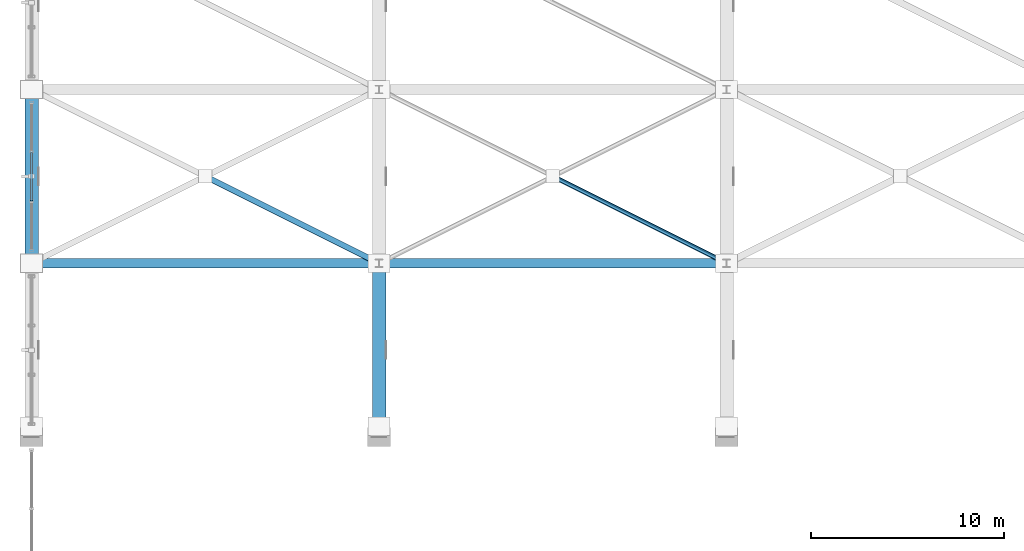
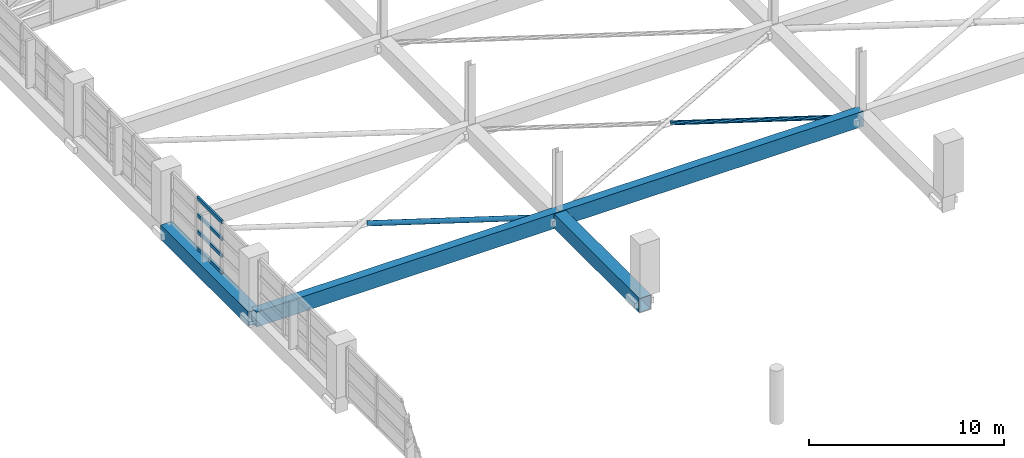
# One storey, part 39 of 116: 6 members, 4 beams, 1 element without a shape of its own.
"""IFC4 building model written with IfcOpenShell, lengths in metres."""

from ifc_helpers import new_model, si_unit, direction, frame, origin, origin_2d, place, context, subcontext, project, spatial, hollow_rectangle, hollow_circle, extrude, material, material_profile, profile_set, type_object, element, aggregate, save


model = new_model("IFC4")

# Units and contexts
model_context = context("Model", 3, precision=1e-05, world=origin(), true_north=direction((0.0, 1.0)))
body_context = subcontext(model_context, "Body", "Model", "MODEL_VIEW")
ifc_project = project(units=[si_unit("LENGTHUNIT", "METRE"), si_unit("AREAUNIT", "SQUARE_METRE"), si_unit("VOLUMEUNIT", "CUBIC_METRE"), si_unit("PLANEANGLEUNIT", "RADIAN"), si_unit("MASSUNIT", "GRAM", prefix="KILO")], contexts=[model_context])

# Site, building, storey
site_placement = place(None, origin())
site = spatial("IfcSite", under=ifc_project, at=site_placement, CompositionType="ELEMENT")
building_placement = place(site_placement, origin())
building = spatial("IfcBuilding", under=site, at=building_placement, Name="Chuanluo Vaults Station", CompositionType="ELEMENT")
storey_placement = place(building_placement, frame((0.0, 0.0, 10.800048828125)))
storey = spatial("IfcBuildingStorey", under=building, at=storey_placement, Name="L02", CompositionType="ELEMENT", Elevation=10.800048828125)

# Beams
ifc_material_1 = material(Name="Steel Q390C", Category="steel")
ifc_material_profile_1 = material_profile(ifc_material_1, hollow_rectangle(XDim=0.5, YDim=0.949951171875, WallThickness=0.028076171875, at=origin_2d()))
ifc_profile_set_1 = profile_set([ifc_material_profile_1], Name="Steel Q390C")
beam_type_1 = type_object("IfcBeamType", Name="BM-TT-TIE", PredefinedType="USERDEFINED", material=ifc_profile_set_1)
for number, where, z_axis, x_axis, name in (
    (1, (0.0, 76.5, -0.85009765625), (1.0, 0.0, 0.0), (0.0, 1.0, 0.0), "Transfer truss top tie girder 1-76"),
    (2, (18.0, 76.5, -0.85009765625), (1.0, 0.0, 0.0), (0.0, 1.0, 0.0), "Transfer truss top tie girder 2-76"),
):
    element("IfcBeam", number, at=place(storey_placement, frame(where, z_axis=z_axis, x_axis=x_axis)), inside=storey, type_object=beam_type_1, Name=name, ObjectType="GIRDER", PredefinedType="USERDEFINED", context=body_context, shape_type="SweptSolid", body=[
        extrude(hollow_rectangle(XDim=0.5, YDim=0.949951171875, WallThickness=0.028076171875, at=origin_2d()), origin(), (0.0, 0.0, 1.0), 18.0),
    ])
ifc_material_2 = material(Name="Steel Q390C", Category="steel")
ifc_material_profile_2 = material_profile(ifc_material_2, hollow_rectangle(XDim=0.699951171875, YDim=0.89990234375, WallThickness=0.035888671875, at=origin_2d()))
ifc_profile_set_2 = profile_set([ifc_material_profile_2], Name="Steel Q390C")
beam_type_2 = type_object("IfcBeamType", Name="BM-TT-TOP", PredefinedType="USERDEFINED", material=ifc_profile_set_2)
for number, where, z_axis, x_axis, name in (
    (3, (0.0, 76.5, -0.85009765625), (0.0, 1.0, 0.0), (-1.0, 0.0, 0.0), "Transfer truss TT-1 top chord 2"),
    (4, (18.0, 67.5, -0.85009765625), (0.0, 1.0, 0.0), (-1.0, 0.0, 0.0), "Transfer truss TT-2 top chord 1"),
):
    element("IfcBeam", number, at=place(storey_placement, frame(where, z_axis=z_axis, x_axis=x_axis)), inside=storey, type_object=beam_type_2, Name=name, ObjectType="GIRDER", PredefinedType="USERDEFINED", context=body_context, shape_type="SweptSolid", body=[
        extrude(hollow_rectangle(XDim=0.699951171875, YDim=0.89990234375, WallThickness=0.035888671875, at=origin_2d()), origin(), (0.0, 0.0, 1.0), 9.0),
    ])

# Curtain wall, members
ifc_material_3 = material(Name="Anodised aluminium 6063-T6", Category="aluminium")
curtain_wall_type = type_object("IfcCurtainWallType", Name="CW-SYS-15", PredefinedType="NOTDEFINED", material=ifc_material_3)
curtain_wall_placement = place(storey_placement, origin())
curtain_wall = element("IfcCurtainWall", 5, at=curtain_wall_placement, inside=storey, type_object=curtain_wall_type, Name="Train shed west clerestory CW 76", PredefinedType="NOTDEFINED")
ifc_material_4 = material(Name="Anodised aluminium 6063-T6", Category="aluminium")
ifc_material_profile_3 = material_profile(ifc_material_4, hollow_rectangle(XDim=0.1201171875, YDim=0.205078125, WallThickness=0.006103515625, at=origin_2d()))
ifc_profile_set_3 = profile_set([ifc_material_profile_3], Name="Anodised aluminium 6063-T6")
member_type_1 = type_object("IfcMemberType", Name="CWT-130", PredefinedType="USERDEFINED", material=ifc_profile_set_3)
member_1_placement = place(storey_placement, frame((0.0, 79.72509765625, 0.0), z_axis=(0.0, 1.0, 0.0), x_axis=(-1.0, 0.0, 0.0)))
member_1 = element("IfcMember", 6, at=member_1_placement, type_object=member_type_1, Name="Train shed west clerestory CW 76 transom 2.1", ObjectType="TRANSOM", PredefinedType="USERDEFINED", context=body_context, shape_type="SweptSolid", body=[
    extrude(hollow_rectangle(XDim=0.1201171875, YDim=0.205078125, WallThickness=0.006103515625, at=origin_2d()), origin(), (0.0, 0.0, 1.0), 2.5498046875),
])
member_2_placement = place(storey_placement, frame((0.0, 79.72509765625, 1.050048828125), z_axis=(0.0, 1.0, 0.0), x_axis=(-1.0, 0.0, 0.0)))
member_2 = element("IfcMember", 7, at=member_2_placement, type_object=member_type_1, Name="Train shed west clerestory CW 76 transom 2.2", ObjectType="TRANSOM", PredefinedType="USERDEFINED", context=body_context, shape_type="SweptSolid", body=[
    extrude(hollow_rectangle(XDim=0.1201171875, YDim=0.205078125, WallThickness=0.006103515625, at=origin_2d()), origin(), (0.0, 0.0, 1.0), 2.5498046875),
])
member_3_placement = place(storey_placement, frame((0.0, 79.72509765625, 2.099853515625), z_axis=(0.0, 1.0, 0.0), x_axis=(-1.0, 0.0, 0.0)))
member_3 = element("IfcMember", 8, at=member_3_placement, type_object=member_type_1, Name="Train shed west clerestory CW 76 transom 2.3", ObjectType="TRANSOM", PredefinedType="USERDEFINED", context=body_context, shape_type="SweptSolid", body=[
    extrude(hollow_rectangle(XDim=0.1201171875, YDim=0.205078125, WallThickness=0.006103515625, at=origin_2d()), origin(), (0.0, 0.0, 1.0), 2.5498046875),
])
member_4_placement = place(storey_placement, frame((0.0, 79.72509765625, 3.14990234375), z_axis=(0.0, 1.0, 0.0), x_axis=(-1.0, 0.0, 0.0)))
member_4 = element("IfcMember", 9, at=member_4_placement, type_object=member_type_1, Name="Train shed west clerestory CW 76 transom 2.4", ObjectType="TRANSOM", PredefinedType="USERDEFINED", context=body_context, shape_type="SweptSolid", body=[
    extrude(hollow_rectangle(XDim=0.1201171875, YDim=0.205078125, WallThickness=0.006103515625, at=origin_2d()), origin(), (0.0, 0.0, 1.0), 2.5498046875),
])
aggregate(curtain_wall, [member_1, member_2, member_3, member_4])

# Members
ifc_material_5 = material(Name="Steel Q355C", Category="steel")
ifc_material_profile_4 = material_profile(ifc_material_5, hollow_circle(Radius=0.12255859375, WallThickness=0.010009765625, at=origin_2d()))
ifc_profile_set_4 = profile_set([ifc_material_profile_4], Name="Steel Q355C")
member_type_2 = type_object("IfcMemberType", Name="MEM-CHS-245", PredefinedType="BRACE", material=ifc_profile_set_4)
member_5_placement = place(storey_placement, frame((27.219970703125, 80.889892578125, -0.85009765625), z_axis=(0.894432165125, -0.447203647112, 0.0), x_axis=(0.447203647112, 0.894432165125, 0.0)))
element("IfcMember", 10, at=member_5_placement, inside=storey, type_object=member_type_2, Name="Over-track diaphragm split X-brace 2-85B", PredefinedType="BRACE", context=body_context, shape_type="SweptSolid", body=[
    extrude(hollow_circle(Radius=0.12255859375, WallThickness=0.010009765625, at=origin_2d()), origin(), (0.0, 0.0, 1.0), 9.81640625),
])
ifc_material_6 = material(Name="Steel Q355C", Category="steel")
ifc_material_profile_5 = material_profile(ifc_material_6, hollow_circle(Radius=0.1494140625, WallThickness=0.011962890625, at=origin_2d()))
ifc_profile_set_5 = profile_set([ifc_material_profile_5], Name="Steel Q355C")
member_type_3 = type_object("IfcMemberType", Name="MEM-CHS-299", PredefinedType="BRACE", material=ifc_profile_set_5)
member_6_placement = place(storey_placement, frame((9.219970703125, 80.889892578125, -0.85009765625), z_axis=(0.894432165125, -0.447203647112, 0.0), x_axis=(0.447203647112, 0.894432165125, 0.0)))
element("IfcMember", 11, at=member_6_placement, inside=storey, type_object=member_type_3, Name="Over-track diaphragm split X-brace 1-85B", PredefinedType="BRACE", context=body_context, shape_type="SweptSolid", body=[
    extrude(hollow_circle(Radius=0.1494140625, WallThickness=0.011962890625, at=origin_2d()), origin(), (0.0, 0.0, 1.0), 9.81640625),
])

save(model, "model.ifc")
